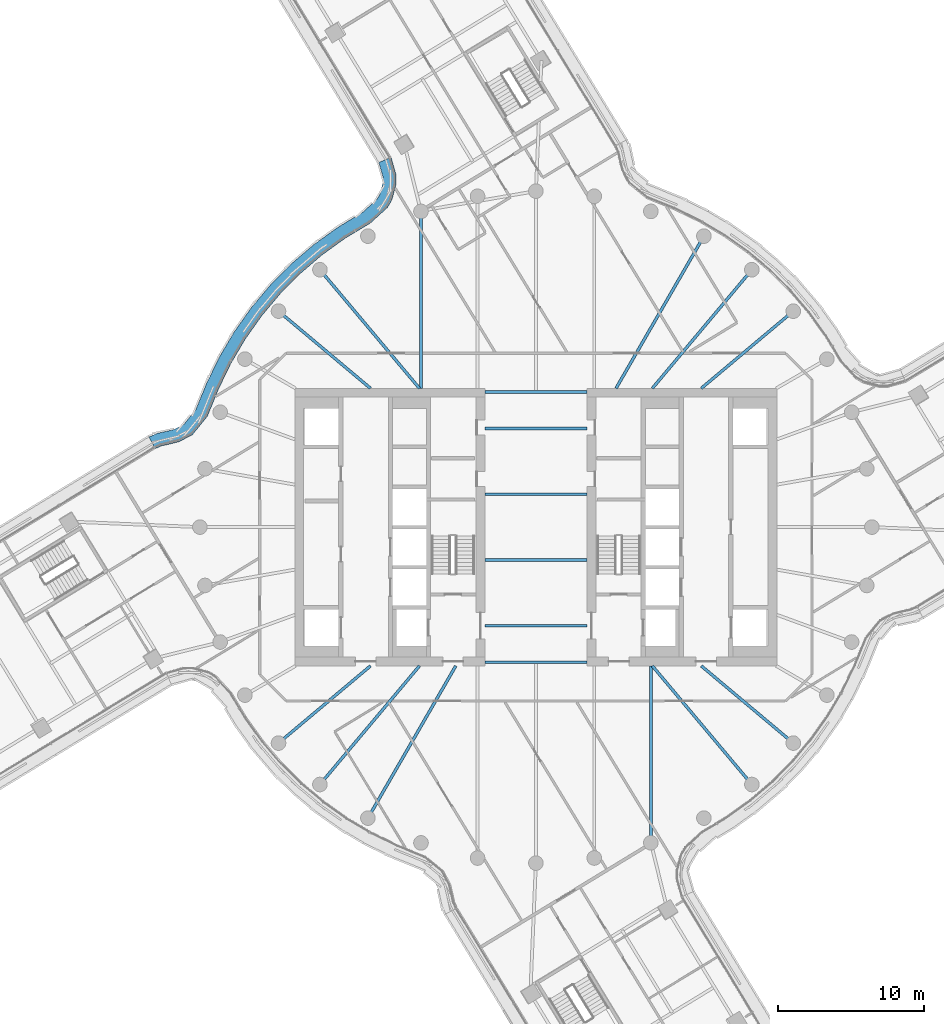
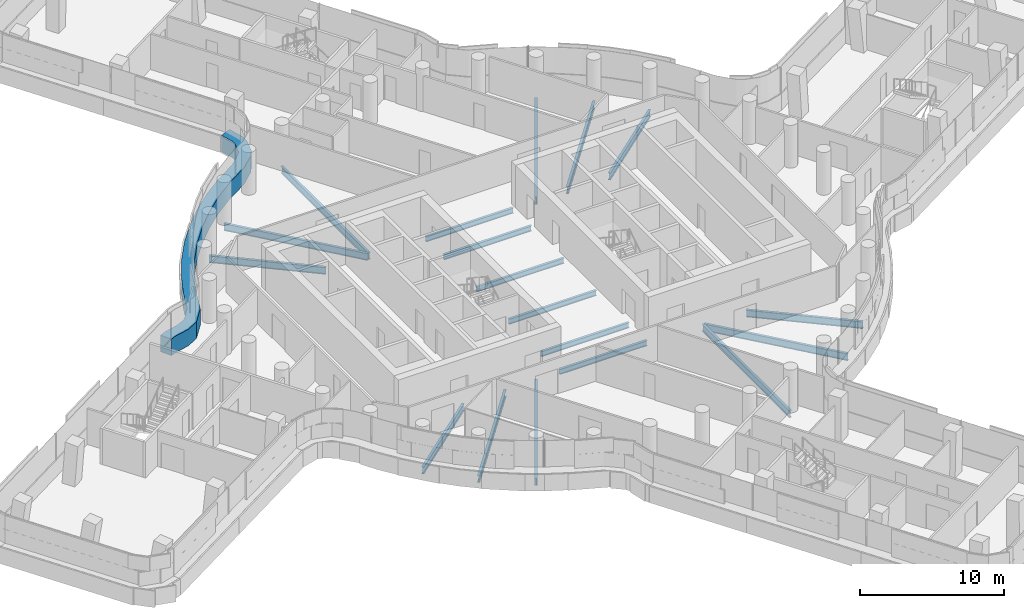
# One storey, part 9 of 35: 18 beams, 1 member, 1 element without a shape of its own.
"""IFC4 building model written with IfcOpenShell, lengths in metres."""

from ifc_helpers import new_model, si_unit, direction, frame, origin, origin_2d, place, context, subcontext, project, spatial, polyline, i_section, outline, extrude, material, layer, layer_set, material_profile, profile_set, type_object, element, aggregate, save


model = new_model("IFC4")

# Units and contexts
model_context = context("Model", 3, precision=1e-05, world=origin(), true_north=direction((0.0, 1.0)))
body_context = subcontext(model_context, "Body", "Model", "MODEL_VIEW")
ifc_project = project(units=[si_unit("LENGTHUNIT", "METRE"), si_unit("AREAUNIT", "SQUARE_METRE"), si_unit("VOLUMEUNIT", "CUBIC_METRE"), si_unit("PLANEANGLEUNIT", "RADIAN"), si_unit("MASSUNIT", "GRAM", prefix="KILO")], contexts=[model_context])

# Site, building, storey
site_placement = place(None, origin())
site = spatial("IfcSite", under=ifc_project, at=site_placement, CompositionType="ELEMENT")
building_placement = place(site_placement, origin())
building = spatial("IfcBuilding", under=site, at=building_placement, Name="Tamarind Cross Interchange Tower", CompositionType="ELEMENT")
storey_placement = place(building_placement, frame((0.0, 0.0, 148.0)))
storey = spatial("IfcBuildingStorey", under=building, at=storey_placement, Name="L36", CompositionType="ELEMENT", Elevation=148.0)

# Beams
ifc_material_1 = material(Name="Steel Q355B", Category="steel")
ifc_material_profile_1 = material_profile(ifc_material_1, i_section(OverallWidth=0.198974609375, OverallDepth=0.446044921875, WebThickness=0.008056640625, FlangeThickness=0.011962890625, FilletRadius=0.012939453125, at=origin_2d()), Name="HN 446x199x8x12")
ifc_profile_set_1 = profile_set([ifc_material_profile_1], Name="Steel Q355B")
beam_type_1 = type_object("IfcBeamType", Name="Composite beam HN 446x199x8x12 Q355B", PredefinedType="BEAM", material=ifc_profile_set_1)
for number, where, z_axis, x_axis, name in (
    (1, (-3.5, -2.25, -0.363037109375), (1.0, 0.0, 0.0), (0.0, 1.0, 0.0), "Beam G-2.25"),
    (2, (-3.5, -6.75, -0.363037109375), (1.0, 0.0, 0.0), (0.0, 1.0, 0.0), "Beam G-6.75"),
    (3, (-3.5, -9.25, -0.363037109375), (1.0, 0.0, 0.0), (0.0, 1.0, 0.0), "Beam G-9.25"),
    (4, (-3.5, 2.25, -0.363037109375), (1.0, 0.0, 0.0), (0.0, 1.0, 0.0), "Beam G2.25"),
    (5, (-3.5, 6.75, -0.363037109375), (1.0, 0.0, 0.0), (0.0, 1.0, 0.0), "Beam G6.75"),
    (6, (-3.5, 9.25, -0.363037109375), (1.0, 0.0, 0.0), (0.0, 1.0, 0.0), "Beam G9.25"),
):
    element("IfcBeam", number, at=place(storey_placement, frame(where, z_axis=z_axis, x_axis=x_axis)), inside=storey, type_object=beam_type_1, Name=name, PredefinedType="BEAM", context=body_context, shape_type="SweptSolid", body=[
        extrude(i_section(OverallWidth=0.198974609375, OverallDepth=0.446044921875, WebThickness=0.008056640625, FlangeThickness=0.011962890625, FilletRadius=0.012939453125, at=origin_2d()), origin(), (0.0, 0.0, 1.0), 7.0),
    ])
ifc_material_profile_2 = material_profile(ifc_material_1, i_section(OverallWidth=0.198974609375, OverallDepth=0.595947265625, WebThickness=0.010009765625, FlangeThickness=0.014892578125, FilletRadius=0.012939453125, at=origin_2d()), Name="HN 596x199x10x15")
ifc_profile_set_2 = profile_set([ifc_material_profile_2], Name="Steel Q355B")
beam_type_2 = type_object("IfcBeamType", Name="Composite beam HN 596x199x10x15 Q355B", PredefinedType="BEAM", material=ifc_profile_set_2)
beam_1_placement = place(storey_placement, frame((17.619140625, 14.7841796875, -0.43798828125), z_axis=(-0.766040580814, -0.642792212574, 0.0), x_axis=(0.642792212574, -0.766040580814, 0.0)))
element("IfcBeam", 7, at=beam_1_placement, inside=storey, type_object=beam_type_2, Name="Beam HH04", PredefinedType="BEAM", context=body_context, shape_type="SweptSolid", body=[
    extrude(i_section(OverallWidth=0.198974609375, OverallDepth=0.595947265625, WebThickness=0.010009765625, FlangeThickness=0.014892578125, FilletRadius=0.012939453125, at=origin_2d()), origin(), (0.0, 0.0, 1.0), 8.220703125),
])
beam_2_placement = place(storey_placement, frame((14.7841796875, 17.619140625, -0.43798828125), z_axis=(-0.642786293979, -0.766045547127, 0.0), x_axis=(0.766045547127, -0.642786293979, 0.0)))
element("IfcBeam", 8, at=beam_2_placement, inside=storey, type_object=beam_type_2, Name="Beam HH05", PredefinedType="BEAM", context=body_context, shape_type="SweptSolid", body=[
    extrude(i_section(OverallWidth=0.198974609375, OverallDepth=0.595947265625, WebThickness=0.010009765625, FlangeThickness=0.014892578125, FilletRadius=0.012939453125, at=origin_2d()), origin(), (0.0, 0.0, 1.0), 10.598876953125),
])
beam_3_placement = place(storey_placement, frame((11.5, 19.918701171875, -0.43798828125), z_axis=(-0.499993565836, -0.866029118519, 0.0), x_axis=(0.866029118519, -0.499993565836, 0.0)))
element("IfcBeam", 9, at=beam_3_placement, inside=storey, type_object=beam_type_2, Name="Beam HH06", PredefinedType="BEAM", context=body_context, shape_type="SweptSolid", body=[
    extrude(i_section(OverallWidth=0.198974609375, OverallDepth=0.595947265625, WebThickness=0.010009765625, FlangeThickness=0.014892578125, FilletRadius=0.012939453125, at=origin_2d()), origin(), (0.0, 0.0, 1.0), 12.030517578125),
])
beam_4_placement = place(storey_placement, frame((-7.866455078125, 21.613037109375, -0.43798828125), z_axis=(0.0, -1.0, 0.0), x_axis=(1.0, 0.0, 0.0)))
element("IfcBeam", 10, at=beam_4_placement, inside=storey, type_object=beam_type_2, Name="Beam HH11", PredefinedType="BEAM", context=body_context, shape_type="SweptSolid", body=[
    extrude(i_section(OverallWidth=0.198974609375, OverallDepth=0.595947265625, WebThickness=0.010009765625, FlangeThickness=0.014892578125, FilletRadius=0.012939453125, at=origin_2d()), origin(), (0.0, 0.0, 1.0), 12.113037109375),
])
beam_5_placement = place(storey_placement, frame((-14.7841796875, 17.619140625, -0.43798828125), z_axis=(0.642786293979, -0.766045547127, 0.0), x_axis=(0.766045547127, 0.642786293979, 0.0)))
element("IfcBeam", 11, at=beam_5_placement, inside=storey, type_object=beam_type_2, Name="Beam HH13", PredefinedType="BEAM", context=body_context, shape_type="SweptSolid", body=[
    extrude(i_section(OverallWidth=0.198974609375, OverallDepth=0.595947265625, WebThickness=0.010009765625, FlangeThickness=0.014892578125, FilletRadius=0.012939453125, at=origin_2d()), origin(), (0.0, 0.0, 1.0), 10.598876953125),
])
for number, where, z_axis, x_axis, name in (
    (12, (-17.619140625, 14.7841796875, -0.43798828125), (0.766040580814, -0.642792212574, 0.0), (0.642792212574, 0.766040580814, 0.0), "Beam HH14"),
    (13, (-17.619140625, -14.7841796875, -0.43798828125), (0.766040580814, 0.642792212574, 0.0), (-0.642792212574, 0.766040580814, 0.0), "Beam HH22"),
):
    element("IfcBeam", number, at=place(storey_placement, frame(where, z_axis=z_axis, x_axis=x_axis)), inside=storey, type_object=beam_type_2, Name=name, PredefinedType="BEAM", context=body_context, shape_type="SweptSolid", body=[
        extrude(i_section(OverallWidth=0.198974609375, OverallDepth=0.595947265625, WebThickness=0.010009765625, FlangeThickness=0.014892578125, FilletRadius=0.012939453125, at=origin_2d()), origin(), (0.0, 0.0, 1.0), 8.220703125),
    ])
beam_6_placement = place(storey_placement, frame((-14.7841796875, -17.619140625, -0.43798828125), z_axis=(0.642786293979, 0.766045547127, 0.0), x_axis=(-0.766045547127, 0.642786293979, 0.0)))
element("IfcBeam", 14, at=beam_6_placement, inside=storey, type_object=beam_type_2, Name="Beam HH23", PredefinedType="BEAM", context=body_context, shape_type="SweptSolid", body=[
    extrude(i_section(OverallWidth=0.198974609375, OverallDepth=0.595947265625, WebThickness=0.010009765625, FlangeThickness=0.014892578125, FilletRadius=0.012939453125, at=origin_2d()), origin(), (0.0, 0.0, 1.0), 10.598876953125),
])
beam_7_placement = place(storey_placement, frame((-11.5, -19.918701171875, -0.43798828125), z_axis=(0.499993565836, 0.866029118519, 0.0), x_axis=(-0.866029118519, 0.499993565836, 0.0)))
element("IfcBeam", 15, at=beam_7_placement, inside=storey, type_object=beam_type_2, Name="Beam HH24", PredefinedType="BEAM", context=body_context, shape_type="SweptSolid", body=[
    extrude(i_section(OverallWidth=0.198974609375, OverallDepth=0.595947265625, WebThickness=0.010009765625, FlangeThickness=0.014892578125, FilletRadius=0.012939453125, at=origin_2d()), origin(), (0.0, 0.0, 1.0), 12.030517578125),
])
beam_8_placement = place(storey_placement, frame((7.866455078125, -21.613037109375, -0.43798828125), z_axis=(0.0, 1.0, 0.0), x_axis=(-1.0, 0.0, 0.0)))
element("IfcBeam", 16, at=beam_8_placement, inside=storey, type_object=beam_type_2, Name="Beam HH29", PredefinedType="BEAM", context=body_context, shape_type="SweptSolid", body=[
    extrude(i_section(OverallWidth=0.198974609375, OverallDepth=0.595947265625, WebThickness=0.010009765625, FlangeThickness=0.014892578125, FilletRadius=0.012939453125, at=origin_2d()), origin(), (0.0, 0.0, 1.0), 12.113037109375),
])
beam_9_placement = place(storey_placement, frame((14.7841796875, -17.619140625, -0.43798828125), z_axis=(-0.642786293979, 0.766045547127, 0.0), x_axis=(-0.766045547127, -0.642786293979, 0.0)))
element("IfcBeam", 17, at=beam_9_placement, inside=storey, type_object=beam_type_2, Name="Beam HH31", PredefinedType="BEAM", context=body_context, shape_type="SweptSolid", body=[
    extrude(i_section(OverallWidth=0.198974609375, OverallDepth=0.595947265625, WebThickness=0.010009765625, FlangeThickness=0.014892578125, FilletRadius=0.012939453125, at=origin_2d()), origin(), (0.0, 0.0, 1.0), 10.598876953125),
])
beam_10_placement = place(storey_placement, frame((17.619140625, -14.7841796875, -0.43798828125), z_axis=(-0.766040580814, 0.642792212574, 0.0), x_axis=(-0.642792212574, -0.766040580814, 0.0)))
element("IfcBeam", 18, at=beam_10_placement, inside=storey, type_object=beam_type_2, Name="Beam HH32", PredefinedType="BEAM", context=body_context, shape_type="SweptSolid", body=[
    extrude(i_section(OverallWidth=0.198974609375, OverallDepth=0.595947265625, WebThickness=0.010009765625, FlangeThickness=0.014892578125, FilletRadius=0.012939453125, at=origin_2d()), origin(), (0.0, 0.0, 1.0), 8.220703125),
])

# Curtain wall, member
ifc_material_2 = material(Name="Aluminium 6063-T6", Category="aluminium")
ifc_layer = layer(ifc_material_2, 0.159912109375)
ifc_layer_set = layer_set([ifc_layer], Name="Aluminium 6063-T6")
curtain_wall_type = type_object("IfcCurtainWallType", Name="Office curtain wall, 9.0 m bays", PredefinedType="NOTDEFINED", material=ifc_layer_set)
curtain_wall_placement = place(storey_placement, origin())
curtain_wall = element("IfcCurtainWall", 19, at=curtain_wall_placement, inside=storey, type_object=curtain_wall_type, Name="CWS-L36-14", PredefinedType="NOTDEFINED")
ifc_material_3 = material(Name="Aluminium and insulated spandrel panel", Category="aluminium")
member_type = type_object("IfcMemberType", Name="Floor-edge blade transom", PredefinedType="USERDEFINED", material=ifc_material_3)
member_placement = place(storey_placement, origin())
member = element("IfcMember", 20, at=member_placement, type_object=member_type, Name="CWT-L36-14", ObjectType="TRANSOM", PredefinedType="USERDEFINED", context=body_context, shape_type="SweptSolid", body=[
    extrude(outline(polyline([(-9.91357421875, 25.32666015625), (-9.56494140625, 24.099365234375), (-9.56103515625, 23.493408203125), (-9.858154296875, 22.39306640625), (-10.1689453125, 21.867919921875), (-11.331787109375, 20.8125), (-13.045654296875, 19.78125), (-14.634521484375, 18.636474609375), (-16.12353515625, 17.3642578125), (-17.50244140625, 15.973388671875), (-18.76171875, 14.4736328125), (-19.892822265625, 12.874755859375), (-20.88818359375, 11.188232421875), (-21.741943359375, 9.42236328125), (-22.49267578125, 7.57763671875), (-23.522216796875, 6.316650390625), (-24.4443359375, 5.836181640625), (-25.094970703125, 5.676513671875), (-25.632568359375, 5.560302734375), (-26.064208984375, 5.36962890625), (-26.48193359375, 6.1689453125), (-25.912353515625, 6.420654296875), (-25.29736328125, 6.553466796875), (-24.76416015625, 6.684326171875), (-24.102294921875, 7.029052734375), (-23.275390625, 8.042236328125), (-22.564697265625, 9.788330078125), (-21.68212890625, 11.613525390625), (-20.64892578125, 13.3642578125), (-19.474853515625, 15.023681640625), (-18.167724609375, 16.580810546875), (-16.736572265625, 18.0244140625), (-15.19091796875, 19.344970703125), (-13.54150390625, 20.533203125), (-11.871337890625, 21.538330078125), (-10.874267578125, 22.443115234375), (-10.695068359375, 22.74609375), (-10.461669921875, 23.610107421875), (-10.464111328125, 23.970947265625), (-10.74609375, 24.964111328125), (-9.91357421875, 25.32666015625)])), origin(), (0.0, 0.0, 1.0), 1.39990234375),
])
aggregate(curtain_wall, [member])

save(model, "model.ifc")
